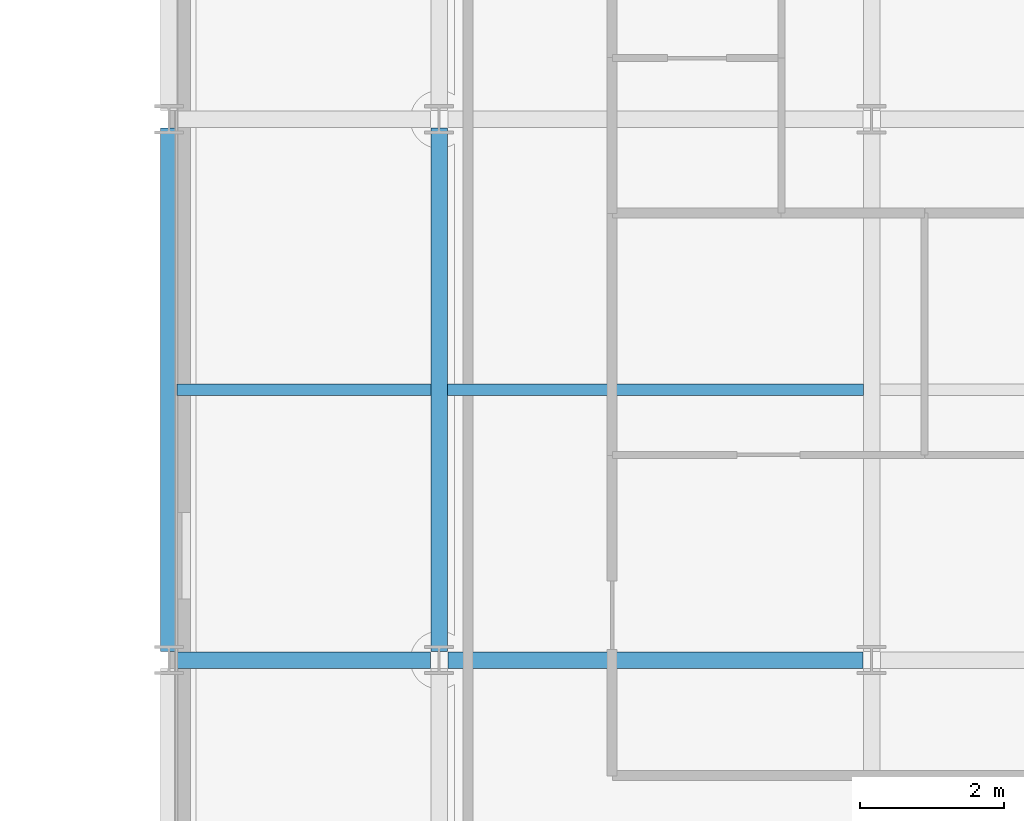
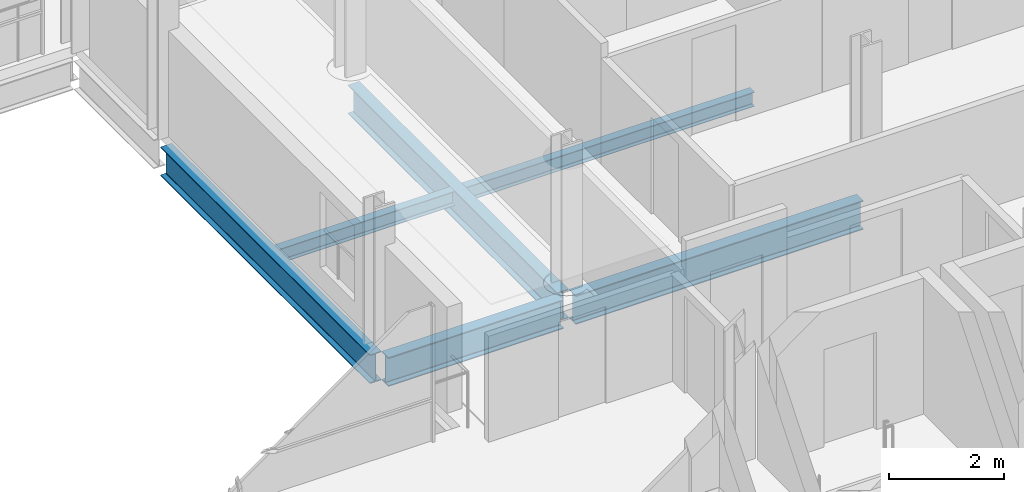
# One storey, part 18 of 41: 6 beams.
"""IFC4 building model written with IfcOpenShell, lengths in metres."""

from ifc_helpers import new_model, si_unit, direction, frame, origin, origin_2d, place, context, subcontext, project, spatial, i_section, extrude, material, material_profile, profile_set, type_object, element, save


model = new_model("IFC4")

# Units and contexts
model_context = context("Model", 3, precision=1e-05, world=origin(), true_north=direction((0.0, 1.0)))
body_context = subcontext(model_context, "Body", "Model", "MODEL_VIEW")
ifc_project = project(units=[si_unit("LENGTHUNIT", "METRE"), si_unit("AREAUNIT", "SQUARE_METRE"), si_unit("VOLUMEUNIT", "CUBIC_METRE"), si_unit("PLANEANGLEUNIT", "RADIAN"), si_unit("MASSUNIT", "GRAM", prefix="KILO")], contexts=[model_context])

# Site, building, storey
site_placement = place(None, origin())
site = spatial("IfcSite", under=ifc_project, at=site_placement, CompositionType="ELEMENT")
building_placement = place(site_placement, origin())
building = spatial("IfcBuilding", under=site, at=building_placement, Name="Brevholm Reach", CompositionType="ELEMENT")
storey_placement = place(building_placement, frame((0.0, 0.0, 157.300048828125)))
storey = spatial("IfcBuildingStorey", under=building, at=storey_placement, Name="L47", CompositionType="ELEMENT", Elevation=157.300048828125)

# Beams
ifc_material_1 = material(Name="Structural Steel S355J2", Category="steel")
ifc_material_profile_1 = material_profile(ifc_material_1, i_section(OverallWidth=0.1650390625, OverallDepth=0.303466796875, WebThickness=0.006103515625, FlangeThickness=0.01025390625, FilletRadius=0.0087890625, at=origin_2d()), Name="UKB 305x165x40")
ifc_profile_set_1 = profile_set([ifc_material_profile_1], Name="Structural Steel S355J2")
beam_type_1 = type_object("IfcBeamType", Name="BM-B305", PredefinedType="BEAM", material=ifc_profile_set_1)
beam_1_placement = place(storey_placement, frame((38.364501953125, 19.75, -0.371826171875), z_axis=(1.0, 0.0, 0.0), x_axis=(0.0, 1.0, 0.0)))
element("IfcBeam", 1, at=beam_1_placement, inside=storey, type_object=beam_type_1, Name="L47 Composite Secondary Floor Beam", PredefinedType="BEAM", context=body_context, shape_type="SweptSolid", body=[
    extrude(i_section(OverallWidth=0.1650390625, OverallDepth=0.303466796875, WebThickness=0.006103515625, FlangeThickness=0.01025390625, FilletRadius=0.0087890625, at=origin_2d()), origin(), (0.0, 0.0, 1.0), 3.52099609375),
])
beam_2_placement = place(storey_placement, frame((42.114501953125, 19.75, -0.371826171875), z_axis=(1.0, 0.0, 0.0), x_axis=(0.0, 1.0, 0.0)))
element("IfcBeam", 2, at=beam_2_placement, inside=storey, type_object=beam_type_1, Name="L47 Composite Secondary Floor Beam", PredefinedType="BEAM", context=body_context, shape_type="SweptSolid", body=[
    extrude(i_section(OverallWidth=0.1650390625, OverallDepth=0.303466796875, WebThickness=0.006103515625, FlangeThickness=0.01025390625, FilletRadius=0.0087890625, at=origin_2d()), origin(), (0.0, 0.0, 1.0), 5.77099609375),
])
ifc_material_2 = material(Name="Structural Steel S355J2", Category="steel")
ifc_material_profile_2 = material_profile(ifc_material_2, i_section(OverallWidth=0.22900390625, OverallDepth=0.6123046875, WebThickness=0.011962890625, FlangeThickness=0.01953125, FilletRadius=0.0126953125, at=origin_2d()), Name="UKB 610x229x125")
ifc_profile_set_2 = profile_set([ifc_material_profile_2], Name="Structural Steel S355J2")
beam_type_2 = type_object("IfcBeamType", Name="BM-SP610", PredefinedType="SPANDREL", material=ifc_profile_set_2)
beam_3_placement = place(storey_placement, frame((38.3701171875, 16.0, -0.526123046875), z_axis=(1.0, 0.0, 0.0), x_axis=(0.0, 1.0, 0.0)))
element("IfcBeam", 3, at=beam_3_placement, inside=storey, type_object=beam_type_2, Name="L47 SP-01 Framing Beam", PredefinedType="SPANDREL", context=body_context, shape_type="SweptSolid", body=[
    extrude(i_section(OverallWidth=0.22900390625, OverallDepth=0.6123046875, WebThickness=0.011962890625, FlangeThickness=0.01953125, FilletRadius=0.0126953125, at=origin_2d()), origin(), (0.0, 0.0, 1.0), 3.509765625),
])
beam_4_placement = place(storey_placement, frame((42.1201171875, 16.0, -0.526123046875), z_axis=(1.0, 0.0, 0.0), x_axis=(0.0, 1.0, 0.0)))
element("IfcBeam", 4, at=beam_4_placement, inside=storey, type_object=beam_type_2, Name="L47 SP-01 Framing Beam", PredefinedType="SPANDREL", context=body_context, shape_type="SweptSolid", body=[
    extrude(i_section(OverallWidth=0.22900390625, OverallDepth=0.6123046875, WebThickness=0.011962890625, FlangeThickness=0.01953125, FilletRadius=0.0126953125, at=origin_2d()), origin(), (0.0, 0.0, 1.0), 5.759765625),
])
for number, where, z_axis, x_axis, name in (
    (5, (38.25, 16.1201171875, -0.526123046875), (0.0, 1.0, 0.0), (-1.0, 0.0, 0.0), "L47 SP-01 Framing Beam"),
    (6, (42.0, 16.1201171875, -0.526123046875), (0.0, 1.0, 0.0), (-1.0, 0.0, 0.0), "L47 SP-01 Framing Beam"),
):
    element("IfcBeam", number, at=place(storey_placement, frame(where, z_axis=z_axis, x_axis=x_axis)), inside=storey, type_object=beam_type_2, Name=name, PredefinedType="SPANDREL", context=body_context, shape_type="SweptSolid", body=[
        extrude(i_section(OverallWidth=0.22900390625, OverallDepth=0.6123046875, WebThickness=0.011962890625, FlangeThickness=0.01953125, FilletRadius=0.0126953125, at=origin_2d()), origin(), (0.0, 0.0, 1.0), 7.259765625),
    ])

save(model, "model.ifc")
